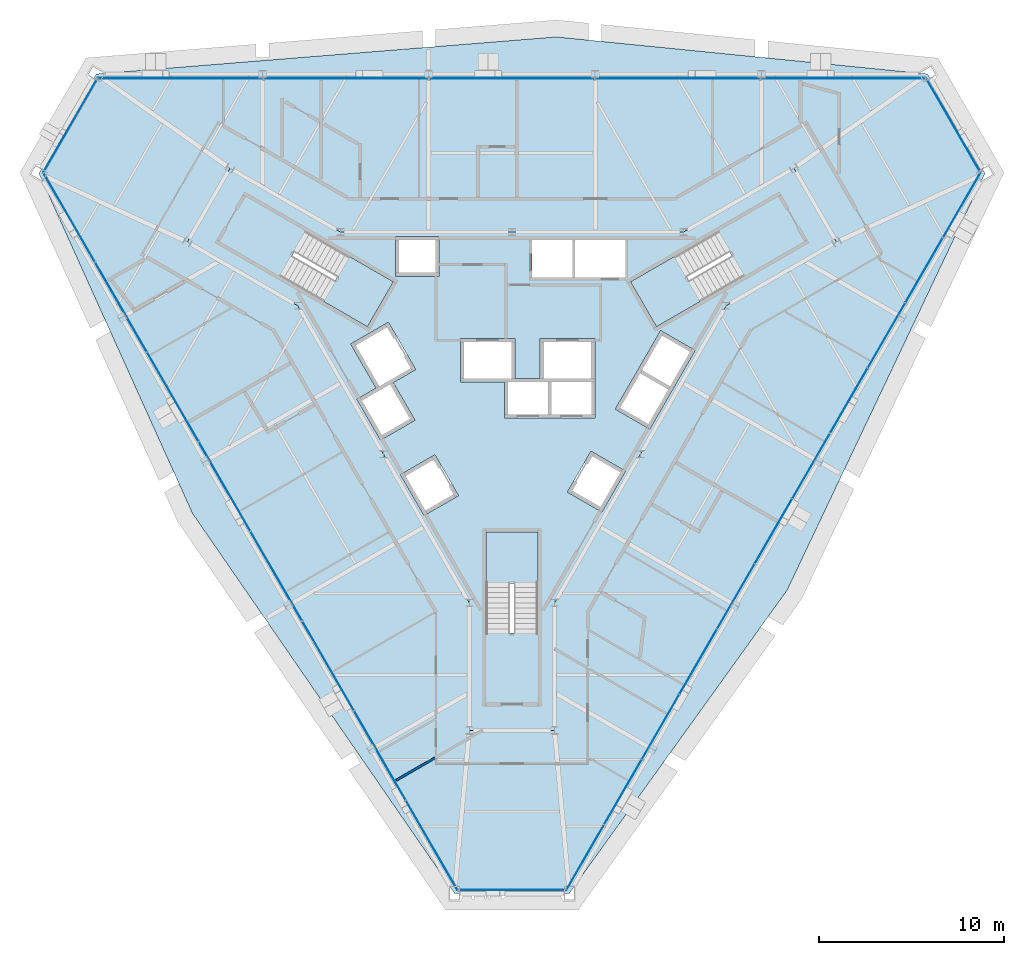
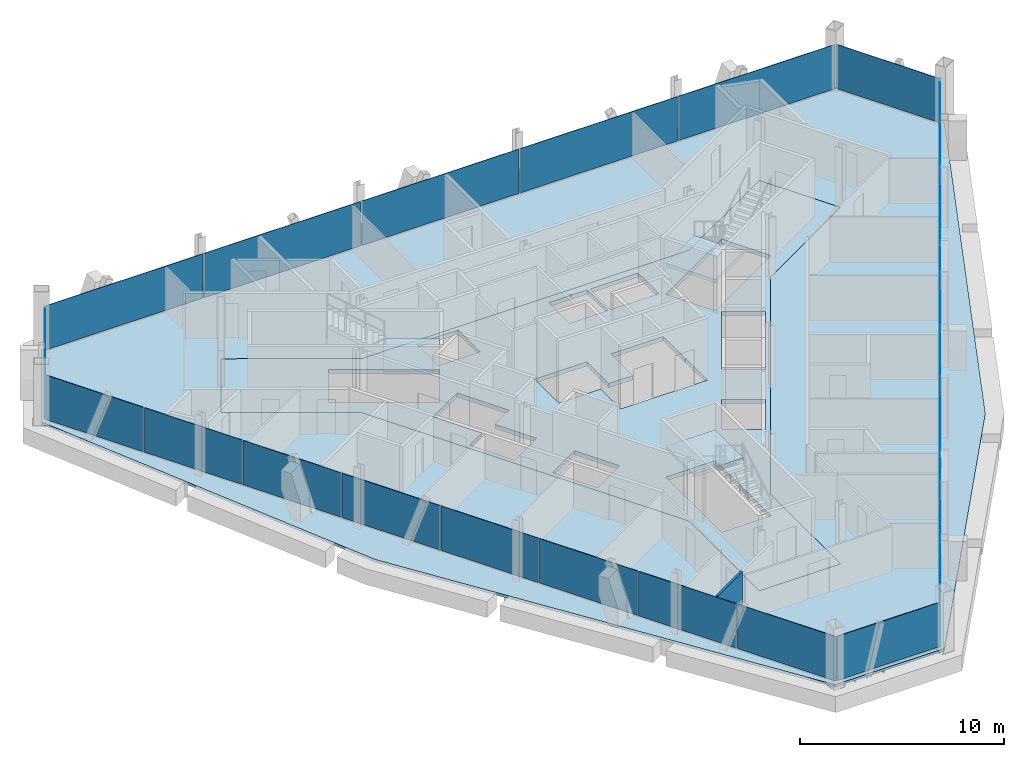
# One storey, part 10 of 16: 27 plates, 5 slabs, 1 wall, 9 elements without a shape of their own.
"""IFC4 building model written with IfcOpenShell, lengths in metres."""

from ifc_helpers import new_model, si_unit, direction, frame, frame_2d, origin, origin_2d, place, context, subcontext, project, spatial, polyline, rectangle, outline, extrude, material, layer, layer_set, type_object, element, aggregate, save


model = new_model("IFC4")

# Units and contexts
model_context = context("Model", 3, precision=1e-05, world=origin(), true_north=direction((0.0, 1.0)))
body_context = subcontext(model_context, "Body", "Model", "MODEL_VIEW")
ifc_project = project(units=[si_unit("LENGTHUNIT", "METRE"), si_unit("AREAUNIT", "SQUARE_METRE"), si_unit("VOLUMEUNIT", "CUBIC_METRE"), si_unit("PLANEANGLEUNIT", "RADIAN"), si_unit("MASSUNIT", "GRAM", prefix="KILO")], contexts=[model_context])

# Site, building, storey
site_placement = place(None, origin())
site = spatial("IfcSite", under=ifc_project, at=site_placement, CompositionType="ELEMENT")
building_placement = place(site_placement, origin())
building = spatial("IfcBuilding", under=site, at=building_placement, Name="Verrane Prism Tower", CompositionType="ELEMENT")
storey_placement = place(building_placement, frame((0.0, 0.0, 239.699951171875)))
storey = spatial("IfcBuildingStorey", under=building, at=storey_placement, Name="L60", CompositionType="ELEMENT", Elevation=239.699951171875)

# Slabs
ifc_material_1 = material(Name="Concrete C35/45", Category="concrete")
ifc_layer_1 = layer(ifc_material_1, 0.159912109375)
ifc_layer_set_1 = layer_set([ifc_layer_1], Name="Composite floor slab")
slab_type_1 = type_object("IfcSlabType", Name="Composite floor slab", PredefinedType="FLOOR", material=ifc_layer_set_1)
slab_1_placement = place(storey_placement, frame((0.0, 0.0, -0.159912109375)))
element("IfcSlab", 1, at=slab_1_placement, inside=storey, type_object=slab_type_1, Name="Floor slab L60", PredefinedType="FLOOR", context=body_context, shape_type="SweptSolid", body=[
    extrude(outline(polyline([(14.85107421875, -11.33740234375), (3.09912109375, -27.6923828125), (-3.09912109375, -27.6923828125), (-17.243896484375, -7.192626953125), (-25.53173828125, 11.162353515625), (-22.432861328125, 16.530029296875), (2.392822265625, 18.530029296875), (22.432861328125, 16.530029296875), (25.53173828125, 11.162353515625), (14.85107421875, -11.33740234375)]), holes=[polyline([(17.52001953125, 7.4599609375), (15.219970703125, 11.43994140625), (9.260009765625, 8.0), (0.0, 8.0), (-9.260009765625, 8.0), (-15.219970703125, 11.43994140625), (-17.52001953125, 7.4599609375), (-11.56005859375, 4.02001953125), (-6.929931640625, -4.0), (-2.300048828125, -12.02001953125), (-2.300048828125, -18.89990234375), (2.300048828125, -18.89990234375), (2.300048828125, -12.02001953125), (6.929931640625, -4.0), (11.56005859375, 4.02001953125), (17.52001953125, 7.4599609375)])]), origin(), (0.0, 0.0, 1.0), 0.159912109375),
])
ifc_material_2 = material(Name="Concrete C40/50", Category="concrete")
ifc_layer_2 = layer(ifc_material_2, 0.25)
ifc_layer_set_2 = layer_set([ifc_layer_2], Name="Core floor slab 250 concrete C40/50")
slab_type_2 = type_object("IfcSlabType", Name="Core floor slab 250 concrete C40/50", PredefinedType="FLOOR", material=ifc_layer_set_2)
slab_2_placement = place(storey_placement, frame((0.0, 0.0, -0.25)))
element("IfcSlab", 2, at=slab_2_placement, inside=storey, type_object=slab_type_2, Name="Core floor L60", PredefinedType="FLOOR", context=body_context, shape_type="SweptSolid", body=[
    extrude(outline(polyline([(11.56005859375, 4.02001953125), (17.52001953125, 7.4599609375), (15.219970703125, 11.43994140625), (9.260009765625, 8.0), (0.0, 8.0), (-9.260009765625, 8.0), (-15.219970703125, 11.43994140625), (-17.52001953125, 7.4599609375), (-11.56005859375, 4.02001953125), (-6.929931640625, -4.0), (-2.300048828125, -12.02001953125), (-2.300048828125, -18.89990234375), (2.300048828125, -18.89990234375), (2.300048828125, -12.02001953125), (6.929931640625, -4.0), (11.56005859375, 4.02001953125)]), holes=[polyline([(1.39990234375, -8.199951171875), (1.39990234375, -13.639892578125), (-1.39990234375, -13.639892578125), (-1.39990234375, -8.199951171875), (1.39990234375, -8.199951171875)]), polyline([(-2.881103515625, -6.22998046875), (-4.742919921875, -7.304931640625), (-6.01806640625, -5.096923828125), (-4.156005859375, -4.02197265625), (-2.881103515625, -6.22998046875)]), polyline([(-7.801025390625, 2.887939453125), (-12.512939453125, 5.60791015625), (-11.113037109375, 8.031982421875), (-6.40087890625, 5.31201171875), (-7.801025390625, 2.887939453125)]), polyline([(-6.284912109375, 5.610107421875), (-6.284912109375, 7.760009765625), (-3.93505859375, 7.760009765625), (-3.93505859375, 5.610107421875), (-6.284912109375, 5.610107421875)]), polyline([(4.26611328125, -3.8310546875), (6.1279296875, -4.906005859375), (4.85302734375, -7.114990234375), (2.990966796875, -6.0400390625), (4.26611328125, -3.8310546875)]), polyline([(7.43798828125, -2.636962890625), (5.575927734375, -1.56201171875), (8.02587890625, 2.680908203125), (9.887939453125, 1.60595703125), (7.43798828125, -2.636962890625)]), polyline([(0.1650390625, 0.10009765625), (1.52490234375, 0.10009765625), (1.52490234375, 2.25), (4.47509765625, 2.25), (4.47509765625, 0.10009765625), (4.4951171875, 0.10009765625), (4.4951171875, -2.050048828125), (-0.405029296875, -2.050048828125), (-0.405029296875, -0.10009765625), (-2.784912109375, -0.10009765625), (-2.784912109375, 2.25), (0.1650390625, 2.25), (0.1650390625, 0.10009765625)]), polyline([(6.40087890625, 5.31201171875), (11.113037109375, 8.031982421875), (12.512939453125, 5.60791015625), (7.801025390625, 2.887939453125), (6.40087890625, 5.31201171875)]), polyline([(1.074951171875, 5.534912109375), (1.074951171875, 7.56005859375), (3.264892578125, 7.56005859375), (3.264892578125, 5.534912109375), (1.074951171875, 5.534912109375)]), polyline([(3.4150390625, 7.56005859375), (6.125, 7.56005859375), (6.125, 5.534912109375), (3.4150390625, 5.534912109375), (3.4150390625, 7.56005859375)]), polyline([(-5.23095703125, -2.159912109375), (-7.093017578125, -3.235107421875), (-8.367919921875, -1.02587890625), (-7.3291015625, -0.426025390625), (-8.7041015625, 1.955078125), (-6.66796875, 3.1298828125), (-5.193115234375, 0.574951171875), (-6.406005859375, -0.125), (-5.23095703125, -2.159912109375)])]), origin(), (0.0, 0.0, 1.0), 0.25),
])

# Curtain wall, plates
ifc_material_3 = material(Name="Aluminium framed insulated glazing", Category="aluminium")
curtain_wall_type_1 = type_object("IfcCurtainWallType", Name="Curtain wall CW-C 4200 module", PredefinedType="NOTDEFINED", material=ifc_material_3)
curtain_wall_1_placement = place(storey_placement, origin())
curtain_wall_1 = element("IfcCurtainWall", 3, at=curtain_wall_1_placement, inside=storey, type_object=curtain_wall_type_1, Name="Glazed curtain wall south-east face L60", PredefinedType="NOTDEFINED")
ifc_material_4 = material(Name="Low-iron insulating glass unit", Category="glass")
ifc_layer_3 = layer(ifc_material_4, 0.02392578125)
ifc_layer_set_3 = layer_set([ifc_layer_3], Name="Glazing panel IGU 24")
plate_type_1 = type_object("IfcPlateType", Name="Glazing panel IGU 24", PredefinedType="CURTAIN_PANEL", material=ifc_layer_set_3)
plate_1_placement = place(storey_placement, frame((3.96044921875, -25.743896484375, 0.05029296875), z_axis=(0.0, 0.0, 1.0), x_axis=(0.499999384578, 0.866025759098, 0.0)))
plate_1 = element("IfcPlate", 4, at=plate_1_placement, type_object=plate_type_1, Name="CW59.6 panel 1", PredefinedType="CURTAIN_PANEL", context=body_context, shape_type="SweptSolid", body=[
    extrude(rectangle(XDim=3.990478515625, YDim=0.02392578125, at=origin_2d()), origin(), (0.0, 0.0, 1.0), 2.662841796875),
])
plate_2_placement = place(storey_placement, frame((5.987060546875, -22.23388671875, 0.05029296875), z_axis=(0.0, 0.0, 1.0), x_axis=(0.499999384578, 0.866025759098, 0.0)))
plate_2 = element("IfcPlate", 5, at=plate_2_placement, type_object=plate_type_1, Name="CW59.6 panel 2", PredefinedType="CURTAIN_PANEL", context=body_context, shape_type="SweptSolid", body=[
    extrude(rectangle(XDim=4.015380859375, YDim=0.02392578125, at=origin_2d()), origin(), (0.0, 0.0, 1.0), 2.662841796875),
])
plate_3_placement = place(storey_placement, frame((8.01953125, -18.713134765625, 0.05029296875), z_axis=(0.0, 0.0, 1.0), x_axis=(0.499999384578, 0.866025759098, 0.0)))
plate_3 = element("IfcPlate", 6, at=plate_3_placement, type_object=plate_type_1, Name="CW59.6 panel 3", PredefinedType="CURTAIN_PANEL", context=body_context, shape_type="SweptSolid", body=[
    extrude(rectangle(XDim=4.015380859375, YDim=0.02392578125, at=origin_2d()), origin(), (0.0, 0.0, 1.0), 2.662841796875),
])
plate_4_placement = place(storey_placement, frame((10.05224609375, -15.1923828125, 0.05029296875), z_axis=(0.0, 0.0, 1.0), x_axis=(0.499999384578, 0.866025759098, 0.0)))
plate_4 = element("IfcPlate", 7, at=plate_4_placement, type_object=plate_type_1, Name="CW59.6 panel 4", PredefinedType="CURTAIN_PANEL", context=body_context, shape_type="SweptSolid", body=[
    extrude(rectangle(XDim=4.015380859375, YDim=0.02392578125, at=origin_2d()), origin(), (0.0, 0.0, 1.0), 2.662841796875),
])
plate_5_placement = place(storey_placement, frame((12.0849609375, -11.671630859375, 0.05029296875), z_axis=(0.0, 0.0, 1.0), x_axis=(0.499999384578, 0.866025759098, 0.0)))
plate_5 = element("IfcPlate", 8, at=plate_5_placement, type_object=plate_type_1, Name="CW59.6 panel 5", PredefinedType="CURTAIN_PANEL", context=body_context, shape_type="SweptSolid", body=[
    extrude(rectangle(XDim=4.015380859375, YDim=0.02392578125, at=origin_2d()), origin(), (0.0, 0.0, 1.0), 2.662841796875),
])
plate_6_placement = place(storey_placement, frame((14.11767578125, -8.15087890625, 0.05029296875), z_axis=(0.0, 0.0, 1.0), x_axis=(0.499999384578, 0.866025759098, 0.0)))
plate_6 = element("IfcPlate", 9, at=plate_6_placement, type_object=plate_type_1, Name="CW59.6 panel 6", PredefinedType="CURTAIN_PANEL", context=body_context, shape_type="SweptSolid", body=[
    extrude(rectangle(XDim=4.015380859375, YDim=0.02392578125, at=origin_2d()), origin(), (0.0, 0.0, 1.0), 2.662841796875),
])
plate_7_placement = place(storey_placement, frame((16.150390625, -4.630126953125, 0.05029296875), z_axis=(0.0, 0.0, 1.0), x_axis=(0.499999384578, 0.866025759098, 0.0)))
plate_7 = element("IfcPlate", 10, at=plate_7_placement, type_object=plate_type_1, Name="CW59.6 panel 7", PredefinedType="CURTAIN_PANEL", context=body_context, shape_type="SweptSolid", body=[
    extrude(rectangle(XDim=4.015380859375, YDim=0.02392578125, at=origin_2d()), origin(), (0.0, 0.0, 1.0), 2.662841796875),
])
plate_8_placement = place(storey_placement, frame((18.18310546875, -1.109375, 0.05029296875), z_axis=(0.0, 0.0, 1.0), x_axis=(0.499999384578, 0.866025759098, 0.0)))
plate_8 = element("IfcPlate", 11, at=plate_8_placement, type_object=plate_type_1, Name="CW59.6 panel 8", PredefinedType="CURTAIN_PANEL", context=body_context, shape_type="SweptSolid", body=[
    extrude(rectangle(XDim=4.015380859375, YDim=0.02392578125, at=origin_2d()), origin(), (0.0, 0.0, 1.0), 2.662841796875),
])
plate_9_placement = place(storey_placement, frame((20.2158203125, 2.411376953125, 0.05029296875), z_axis=(0.0, 0.0, 1.0), x_axis=(0.499999384578, 0.866025759098, 0.0)))
plate_9 = element("IfcPlate", 12, at=plate_9_placement, type_object=plate_type_1, Name="CW59.6 panel 9", PredefinedType="CURTAIN_PANEL", context=body_context, shape_type="SweptSolid", body=[
    extrude(rectangle(XDim=4.015380859375, YDim=0.02392578125, at=origin_2d()), origin(), (0.0, 0.0, 1.0), 2.662841796875),
])
plate_10_placement = place(storey_placement, frame((22.24853515625, 5.93212890625, 0.05029296875), z_axis=(0.0, 0.0, 1.0), x_axis=(0.499999384578, 0.866025759098, 0.0)))
plate_10 = element("IfcPlate", 13, at=plate_10_placement, type_object=plate_type_1, Name="CW59.6 panel 10", PredefinedType="CURTAIN_PANEL", context=body_context, shape_type="SweptSolid", body=[
    extrude(rectangle(XDim=4.015380859375, YDim=0.02392578125, at=origin_2d()), origin(), (0.0, 0.0, 1.0), 2.662841796875),
])
plate_11_placement = place(storey_placement, frame((24.28759765625, 9.463623046875, 0.05029296875), z_axis=(0.0, 0.0, 1.0), x_axis=(0.499999384578, 0.866025759098, 0.0)))
plate_11 = element("IfcPlate", 14, at=plate_11_placement, type_object=plate_type_1, Name="CW59.6 panel 11", PredefinedType="CURTAIN_PANEL", context=body_context, shape_type="SweptSolid", body=[
    extrude(rectangle(XDim=4.040283203125, YDim=0.02392578125, at=origin_2d()), origin(), (0.0, 0.0, 1.0), 2.662841796875),
])
aggregate(curtain_wall_1, [plate_1, plate_2, plate_3, plate_4, plate_5, plate_6, plate_7, plate_8, plate_9, plate_10, plate_11])

ifc_material_5 = material(Name="Aluminium framed insulated glazing", Category="aluminium")
curtain_wall_type_2 = type_object("IfcCurtainWallType", Name="Curtain wall CW-B 5600 module", PredefinedType="NOTDEFINED", material=ifc_material_5)
curtain_wall_2_placement = place(storey_placement, origin())
curtain_wall_2 = element("IfcCurtainWall", 15, at=curtain_wall_2_placement, inside=storey, type_object=curtain_wall_type_2, Name="Glazed curtain wall south-west face L60", PredefinedType="NOTDEFINED")
ifc_material_6 = material(Name="Low-iron insulating glass unit", Category="glass")
ifc_layer_4 = layer(ifc_material_6, 0.028076171875)
ifc_layer_set_4 = layer_set([ifc_layer_4], Name="Glazing panel IGU 28")
plate_type_2 = type_object("IfcPlateType", Name="Glazing panel IGU 28", PredefinedType="CURTAIN_PANEL", material=ifc_layer_set_4)
plate_12_placement = place(storey_placement, frame((-23.892578125, 8.77978515625, 0.06005859375), z_axis=(0.0, 0.0, 1.0), x_axis=(0.499999384578, -0.866025759098, 0.0)))
plate_12 = element("IfcPlate", 16, at=plate_12_placement, type_object=plate_type_2, Name="CW59.4 panel 1", PredefinedType="CURTAIN_PANEL", context=body_context, shape_type="SweptSolid", body=[
    extrude(rectangle(XDim=5.5, YDim=0.028076171875, at=origin_2d()), origin(), (0.0, 0.0, 1.0), 2.65283203125),
])
plate_13_placement = place(storey_placement, frame((-21.105224609375, 3.95166015625, 0.06005859375), z_axis=(0.0, 0.0, 1.0), x_axis=(0.499999384578, -0.866025759098, 0.0)))
plate_13 = element("IfcPlate", 17, at=plate_13_placement, type_object=plate_type_2, Name="CW59.4 panel 2", PredefinedType="CURTAIN_PANEL", context=body_context, shape_type="SweptSolid", body=[
    extrude(rectangle(XDim=5.530029296875, YDim=0.028076171875, at=origin_2d()), origin(), (0.0, 0.0, 1.0), 2.65283203125),
])
plate_14_placement = place(storey_placement, frame((-18.310302734375, -0.889404296875, 0.06005859375), z_axis=(0.0, 0.0, 1.0), x_axis=(0.499999384578, -0.866025759098, 0.0)))
plate_14 = element("IfcPlate", 18, at=plate_14_placement, type_object=plate_type_2, Name="CW59.4 panel 3", PredefinedType="CURTAIN_PANEL", context=body_context, shape_type="SweptSolid", body=[
    extrude(rectangle(XDim=5.530029296875, YDim=0.028076171875, at=origin_2d()), origin(), (0.0, 0.0, 1.0), 2.65283203125),
])
plate_15_placement = place(storey_placement, frame((-15.51513671875, -5.73046875, 0.06005859375), z_axis=(0.0, 0.0, 1.0), x_axis=(0.499999384578, -0.866025759098, 0.0)))
plate_15 = element("IfcPlate", 19, at=plate_15_placement, type_object=plate_type_2, Name="CW59.4 panel 4", PredefinedType="CURTAIN_PANEL", context=body_context, shape_type="SweptSolid", body=[
    extrude(rectangle(XDim=5.530029296875, YDim=0.028076171875, at=origin_2d()), origin(), (0.0, 0.0, 1.0), 2.65283203125),
])
plate_16_placement = place(storey_placement, frame((-12.72021484375, -10.571533203125, 0.06005859375), z_axis=(0.0, 0.0, 1.0), x_axis=(0.499999384578, -0.866025759098, 0.0)))
plate_16 = element("IfcPlate", 20, at=plate_16_placement, type_object=plate_type_2, Name="CW59.4 panel 5", PredefinedType="CURTAIN_PANEL", context=body_context, shape_type="SweptSolid", body=[
    extrude(rectangle(XDim=5.530029296875, YDim=0.028076171875, at=origin_2d()), origin(), (0.0, 0.0, 1.0), 2.65283203125),
])
plate_17_placement = place(storey_placement, frame((-9.92529296875, -15.412353515625, 0.06005859375), z_axis=(0.0, 0.0, 1.0), x_axis=(0.499999384578, -0.866025759098, 0.0)))
plate_17 = element("IfcPlate", 21, at=plate_17_placement, type_object=plate_type_2, Name="CW59.4 panel 6", PredefinedType="CURTAIN_PANEL", context=body_context, shape_type="SweptSolid", body=[
    extrude(rectangle(XDim=5.530029296875, YDim=0.028076171875, at=origin_2d()), origin(), (0.0, 0.0, 1.0), 2.65283203125),
])
plate_18_placement = place(storey_placement, frame((-7.13037109375, -20.25341796875, 0.06005859375), z_axis=(0.0, 0.0, 1.0), x_axis=(0.499999384578, -0.866025759098, 0.0)))
plate_18 = element("IfcPlate", 22, at=plate_18_placement, type_object=plate_type_2, Name="CW59.4 panel 7", PredefinedType="CURTAIN_PANEL", context=body_context, shape_type="SweptSolid", body=[
    extrude(rectangle(XDim=5.530029296875, YDim=0.028076171875, at=origin_2d()), origin(), (0.0, 0.0, 1.0), 2.65283203125),
])
plate_19_placement = place(storey_placement, frame((-4.327880859375, -25.107421875, 0.06005859375), z_axis=(0.0, 0.0, 1.0), x_axis=(0.499999384578, -0.866025759098, 0.0)))
plate_19 = element("IfcPlate", 23, at=plate_19_placement, type_object=plate_type_2, Name="CW59.4 panel 8", PredefinedType="CURTAIN_PANEL", context=body_context, shape_type="SweptSolid", body=[
    extrude(rectangle(XDim=5.559814453125, YDim=0.028076171875, at=origin_2d()), origin(), (0.0, 0.0, 1.0), 2.65283203125),
])
aggregate(curtain_wall_2, [plate_12, plate_13, plate_14, plate_15, plate_16, plate_17, plate_18, plate_19])

# Curtain wall, plate
ifc_material_7 = material(Name="Aluminium framed insulated glazing", Category="aluminium")
curtain_wall_type_3 = type_object("IfcCurtainWallType", Name="Curtain wall CW-A 8400 module", PredefinedType="NOTDEFINED", material=ifc_material_7)
curtain_wall_3_placement = place(storey_placement, origin())
curtain_wall_3 = element("IfcCurtainWall", 24, at=curtain_wall_3_placement, inside=storey, type_object=curtain_wall_type_3, Name="Glazed curtain wall north-east corner L60", PredefinedType="NOTDEFINED")
ifc_material_8 = material(Name="Low-iron insulating glass unit", Category="glass")
ifc_layer_5 = layer(ifc_material_8, 0.031982421875)
ifc_layer_set_5 = layer_set([ifc_layer_5], Name="Glazing panel IGU 32")
plate_type_3 = type_object("IfcPlateType", Name="Glazing panel IGU 32", PredefinedType="CURTAIN_PANEL", material=ifc_layer_set_5)
plate_20_placement = place(storey_placement, frame((23.81103515625, 13.787841796875, 0.0703125), z_axis=(0.0, 0.0, 1.0), x_axis=(-0.499999415427, 0.866025741287, 0.0)))
plate_20 = element("IfcPlate", 25, at=plate_20_placement, type_object=plate_type_3, Name="CW59.1 panel 1", PredefinedType="CURTAIN_PANEL", context=body_context, shape_type="SweptSolid", body=[
    extrude(rectangle(XDim=5.805908203125, YDim=0.031982421875, at=origin_2d()), origin(), (0.0, 0.0, 1.0), 2.642822265625),
])
aggregate(curtain_wall_3, [plate_20])

# Curtain wall, plates
curtain_wall_4_placement = place(storey_placement, origin())
curtain_wall_4 = element("IfcCurtainWall", 26, at=curtain_wall_4_placement, inside=storey, type_object=curtain_wall_type_3, Name="Glazed curtain wall north face L60", PredefinedType="NOTDEFINED")
plate_21_placement = place(storey_placement, frame((17.870361328125, 16.3017578125, 0.0703125), z_axis=(0.0, 0.0, 1.0), x_axis=(-1.0, 0.0, 0.0)))
plate_21 = element("IfcPlate", 27, at=plate_21_placement, type_object=plate_type_3, Name="CW59.2 panel 1", PredefinedType="CURTAIN_PANEL", context=body_context, shape_type="SweptSolid", body=[
    extrude(rectangle(XDim=8.8388671875, YDim=0.031982421875, at=origin_2d()), origin(), (0.0, 0.0, 1.0), 2.642822265625),
])
plate_22_placement = place(storey_placement, frame((8.94384765625, 16.3017578125, 0.0703125), z_axis=(0.0, 0.0, 1.0), x_axis=(-1.0, 0.0, 0.0)))
plate_22 = element("IfcPlate", 28, at=plate_22_placement, type_object=plate_type_3, Name="CW59.2 panel 2", PredefinedType="CURTAIN_PANEL", context=body_context, shape_type="SweptSolid", body=[
    extrude(rectangle(XDim=8.873779296875, YDim=0.031982421875, at=origin_2d()), origin(), (0.0, 0.0, 1.0), 2.642822265625),
])
plate_23_placement = place(storey_placement, frame((0.0, 16.3017578125, 0.0703125), z_axis=(0.0, 0.0, 1.0), x_axis=(-1.0, 0.0, 0.0)))
plate_23 = element("IfcPlate", 29, at=plate_23_placement, type_object=plate_type_3, Name="CW59.2 panel 3", PredefinedType="CURTAIN_PANEL", context=body_context, shape_type="SweptSolid", body=[
    extrude(rectangle(XDim=8.873779296875, YDim=0.031982421875, at=origin_2d()), origin(), (0.0, 0.0, 1.0), 2.642822265625),
])
plate_24_placement = place(storey_placement, frame((-8.94384765625, 16.3017578125, 0.0703125), z_axis=(0.0, 0.0, 1.0), x_axis=(-1.0, 0.0, 0.0)))
plate_24 = element("IfcPlate", 30, at=plate_24_placement, type_object=plate_type_3, Name="CW59.2 panel 4", PredefinedType="CURTAIN_PANEL", context=body_context, shape_type="SweptSolid", body=[
    extrude(rectangle(XDim=8.873779296875, YDim=0.031982421875, at=origin_2d()), origin(), (0.0, 0.0, 1.0), 2.642822265625),
])
plate_25_placement = place(storey_placement, frame((-17.9052734375, 16.3017578125, 0.0703125), z_axis=(0.0, 0.0, 1.0), x_axis=(-1.0, 0.0, 0.0)))
plate_25 = element("IfcPlate", 31, at=plate_25_placement, type_object=plate_type_3, Name="CW59.2 panel 5", PredefinedType="CURTAIN_PANEL", context=body_context, shape_type="SweptSolid", body=[
    extrude(rectangle(XDim=8.908935546875, YDim=0.031982421875, at=origin_2d()), origin(), (0.0, 0.0, 1.0), 2.642822265625),
])
aggregate(curtain_wall_4, [plate_21, plate_22, plate_23, plate_24, plate_25])

# Curtain wall, plate
curtain_wall_5_placement = place(storey_placement, origin())
curtain_wall_5 = element("IfcCurtainWall", 32, at=curtain_wall_5_placement, inside=storey, type_object=curtain_wall_type_3, Name="Glazed curtain wall north-west corner L60", PredefinedType="NOTDEFINED")
plate_26_placement = place(storey_placement, frame((-23.84619140625, 13.727294921875, 0.0703125), z_axis=(0.0, 0.0, 1.0), x_axis=(-0.499999415427, -0.866025741287, 0.0)))
plate_26 = element("IfcPlate", 33, at=plate_26_placement, type_object=plate_type_3, Name="CW59.3 panel 1", PredefinedType="CURTAIN_PANEL", context=body_context, shape_type="SweptSolid", body=[
    extrude(rectangle(XDim=5.805908203125, YDim=0.031982421875, at=origin_2d()), origin(), (0.0, 0.0, 1.0), 2.642822265625),
])
aggregate(curtain_wall_5, [plate_26])

curtain_wall_6_placement = place(storey_placement, origin())
curtain_wall_6 = element("IfcCurtainWall", 34, at=curtain_wall_6_placement, inside=storey, type_object=curtain_wall_type_3, Name="Glazed curtain wall south corner L60", PredefinedType="NOTDEFINED")
plate_27_placement = place(storey_placement, frame((0.034912109375, -27.514892578125, 0.0703125), z_axis=(0.0, 0.0, 1.0), x_axis=(1.0, 0.0, 0.0)))
plate_27 = element("IfcPlate", 35, at=plate_27_placement, type_object=plate_type_3, Name="CW59.5 panel 1", PredefinedType="CURTAIN_PANEL", context=body_context, shape_type="SweptSolid", body=[
    extrude(rectangle(XDim=5.805908203125, YDim=0.031982421875, at=origin_2d()), origin(), (0.0, 0.0, 1.0), 2.642822265625),
])
aggregate(curtain_wall_6, [plate_27])

# Stair, slab
ifc_material_9 = material(Name="Concrete C40/50", Category="concrete")
stair_type = type_object("IfcStairType", Name="Exit stair 1300 dog-leg precast concrete C40/50", PredefinedType="HALF_TURN_STAIR", material=ifc_material_9)
stair_1_placement = place(storey_placement, origin())
stair_1 = element("IfcStair", 36, at=stair_1_placement, inside=storey, type_object=stair_type, Name="Stair 1 L60", PredefinedType="HALF_TURN_STAIR")
ifc_material_10 = material(Name="Concrete C40/50", Category="concrete")
ifc_layer_6 = layer(ifc_material_10, 0.199951171875)
ifc_layer_set_6 = layer_set([ifc_layer_6], Name="Stair landing 200 precast concrete C40/50")
slab_type_3 = type_object("IfcSlabType", Name="Stair landing 200 precast concrete C40/50", PredefinedType="LANDING", material=ifc_layer_set_6)
slab_3_placement = place(storey_placement, frame((0.0, 0.0, 1.650146484375)))
slab_3 = element("IfcSlab", 37, at=slab_3_placement, type_object=slab_type_3, Name="Stair 1 landing 1", PredefinedType="LANDING", context=body_context, shape_type="SweptSolid", body=[
    extrude(outline(polyline([(8.791748046875, 6.6923828125), (6.4013671875, 5.3125), (7.801513671875, 2.887451171875), (10.191650390625, 4.267578125), (8.791748046875, 6.6923828125)])), origin(), (0.0, 0.0, 1.0), 0.199951171875),
])
aggregate(stair_1, [slab_3])

stair_2_placement = place(storey_placement, origin())
stair_2 = element("IfcStair", 38, at=stair_2_placement, inside=storey, type_object=stair_type, Name="Stair 2 L60", PredefinedType="HALF_TURN_STAIR")
slab_4_placement = place(storey_placement, frame((0.0, 0.0, 1.650146484375)))
slab_4 = element("IfcSlab", 39, at=slab_4_placement, type_object=slab_type_3, Name="Stair 2 landing 1", PredefinedType="LANDING", context=body_context, shape_type="SweptSolid", body=[
    extrude(outline(polyline([(-10.191650390625, 4.267578125), (-7.801513671875, 2.887451171875), (-6.4013671875, 5.3125), (-8.791748046875, 6.6923828125), (-10.191650390625, 4.267578125)])), origin(), (0.0, 0.0, 1.0), 0.199951171875),
])
aggregate(stair_2, [slab_4])

stair_3_placement = place(storey_placement, origin())
stair_3 = element("IfcStair", 40, at=stair_3_placement, inside=storey, type_object=stair_type, Name="Stair 3 L60", PredefinedType="HALF_TURN_STAIR")
slab_5_placement = place(storey_placement, frame((0.0, 0.0, 1.650146484375)))
slab_5 = element("IfcSlab", 41, at=slab_5_placement, type_object=slab_type_3, Name="Stair 3 landing 1", PredefinedType="LANDING", context=body_context, shape_type="SweptSolid", body=[
    extrude(outline(polyline([(1.39990234375, -10.9599609375), (1.39990234375, -8.199951171875), (-1.39990234375, -8.199951171875), (-1.39990234375, -10.9599609375), (1.39990234375, -10.9599609375)])), origin(), (0.0, 0.0, 1.0), 0.199951171875),
])
aggregate(stair_3, [slab_5])

# Wall
ifc_material_11 = material(Name="Gypsum board partition", Category="other")
ifc_layer_7 = layer(ifc_material_11, 0.125)
ifc_layer_set_7 = layer_set([ifc_layer_7], Name="PW-125 corridor wall 1 h")
wall_type = type_object("IfcWallType", Name="PW-125 corridor wall 1 h", PredefinedType="PARTITIONING", material=ifc_layer_set_7)
wall_placement = place(storey_placement, frame((-6.24755859375, -21.58984375, 0.0), z_axis=(0.0, 0.0, 1.0), x_axis=(0.866059450854, 0.499941024108, 0.0)))
element("IfcWall", 42, at=wall_placement, inside=storey, type_object=wall_type, Name="Corridor wall 023", PredefinedType="PARTITIONING", context=body_context, shape_type="SweptSolid", body=[
    extrude(rectangle(XDim=2.417236328125, YDim=0.125, at=frame_2d((1.20849609375, 0.0))), origin(), (0.0, 0.0, 1.0), 2.713134765625),
])

save(model, "model.ifc")
